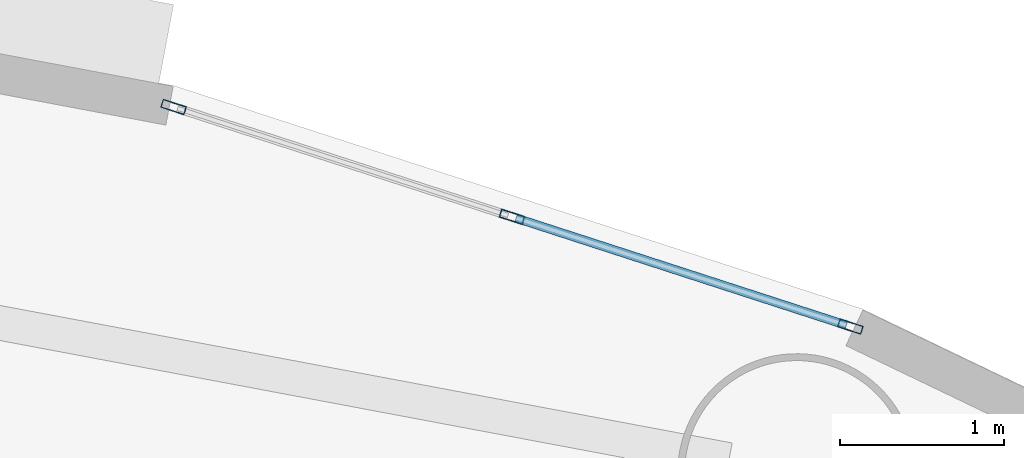
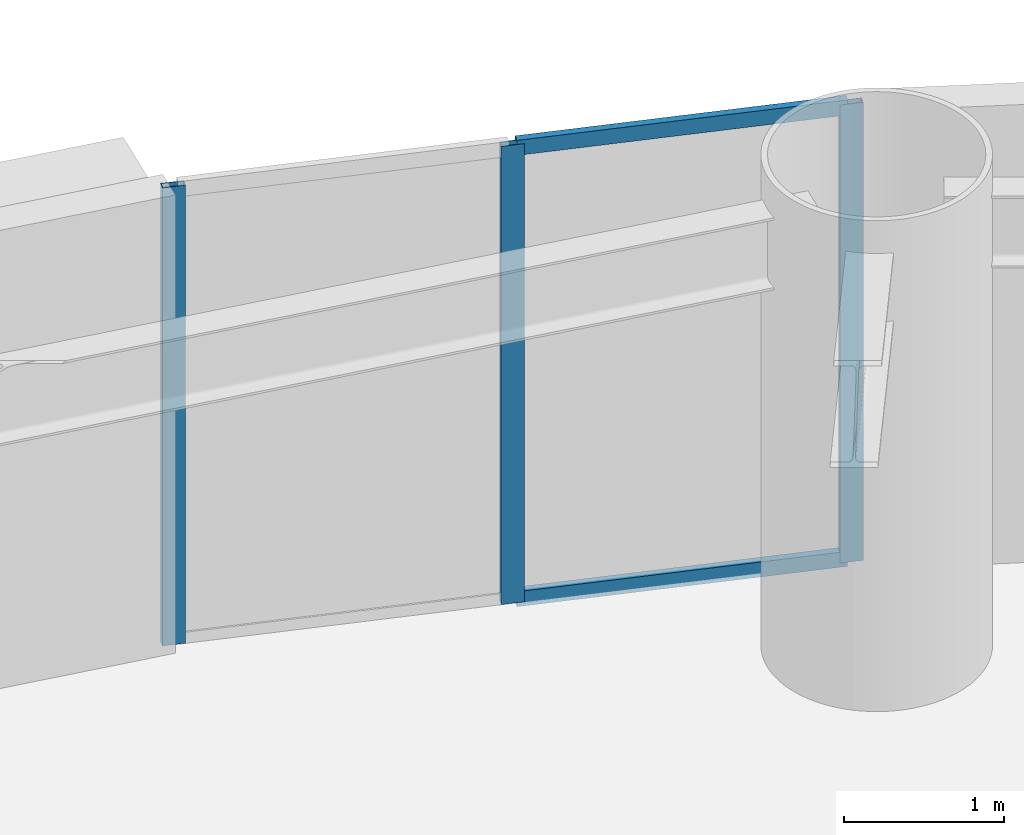
# One storey, part 5 of 21: 5 members, 1 element without a shape of its own.
"""IFC4 building model written with IfcOpenShell, lengths in metres."""

from ifc_helpers import new_model, si_unit, direction, frame, origin, origin_2d, place, context, subcontext, project, spatial, hollow_rectangle, extrude, source, transform, mapped, material, layer, layer_set, material_profile, profile_set, type_object, element, aggregate, save


model = new_model("IFC4")

# Units and contexts
model_context = context("Model", 3, precision=1e-05, world=origin(), true_north=direction((0.0, 1.0)))
body_context = subcontext(model_context, "Body", "Model", "MODEL_VIEW")
ifc_project = project(units=[si_unit("LENGTHUNIT", "METRE"), si_unit("AREAUNIT", "SQUARE_METRE"), si_unit("VOLUMEUNIT", "CUBIC_METRE"), si_unit("PLANEANGLEUNIT", "RADIAN"), si_unit("MASSUNIT", "GRAM", prefix="KILO")], contexts=[model_context])

# Site, building, storey
site_placement = place(None, origin())
site = spatial("IfcSite", under=ifc_project, at=site_placement, CompositionType="ELEMENT")
building_placement = place(site_placement, origin())
building = spatial("IfcBuilding", under=site, at=building_placement, Name="Linh Dai School and Residence Tower", CompositionType="ELEMENT")
storey_placement = place(building_placement, frame((0.0, 0.0, 97.199951171875)))
storey = spatial("IfcBuildingStorey", under=building, at=storey_placement, Name="L22", CompositionType="ELEMENT", Elevation=97.199951171875)

# Curtain wall, members
ifc_material_1 = material(Name="Aluminium Anodised Curtain Wall", Category="aluminium")
ifc_layer = layer(ifc_material_1, 0.14990234375)
ifc_layer_set = layer_set([ifc_layer], Name="Aluminium Anodised Curtain Wall")
curtain_wall_type = type_object("IfcCurtainWallType", Name="CW-SYS-4", PredefinedType="USERDEFINED", material=ifc_layer_set)
curtain_wall_placement = place(storey_placement, origin())
curtain_wall = element("IfcCurtainWall", 1, at=curtain_wall_placement, inside=storey, type_object=curtain_wall_type, Name="L22 CW4 Curtain Wall 08", ObjectType="RIBBON CURTAIN WALL", PredefinedType="USERDEFINED")
ifc_material_2 = material(Name="Aluminium Alloy 6063-T6", Category="aluminium")
ifc_material_profile_1 = material_profile(ifc_material_2, hollow_rectangle(XDim=0.052001953125, YDim=0.114990234375, WallThickness=0.00390625, at=origin_2d()), Name="RHS 115x52x4")
ifc_profile_set_1 = profile_set([ifc_material_profile_1], Name="Aluminium Alloy 6063-T6")
member_type_1 = type_object("IfcMemberType", Name="CW-SYS-4-TRN", PredefinedType="USERDEFINED", material=ifc_profile_set_1)
shared_shape_1 = source(origin(), body_context, "Body", "SweptSolid", [
    extrude(hollow_rectangle(XDim=0.052001953125, YDim=0.114990234375, WallThickness=0.00390625, at=origin_2d()), origin(), (0.0, 0.0, 1.0), 2.1162109375),
])
member_1_placement = place(storey_placement, frame((47.01171875, 47.71630859375, 0.026123046875), z_axis=(0.95122464899, -0.308499055355, 0.0), x_axis=(0.308499055355, 0.95122464899, 0.0)))
member_1 = element("IfcMember", 2, at=member_1_placement, type_object=member_type_1, Name="CW4 transom 2.1", ObjectType="TRANSOM", PredefinedType="USERDEFINED", context=body_context, shape_type="MappedRepresentation", body=[
    mapped(shared_shape_1, transform((0.0, 0.0, 0.0), x_axis=(1.0, 0.0, 0.0), y_axis=(0.0, 1.0, 0.0), z_axis=(0.0, 0.0, 1.0), scale=1.0)),
])
member_2_placement = place(storey_placement, frame((47.01171875, 47.71630859375, 3.47412109375), z_axis=(0.95122464899, -0.308499055355, 0.0), x_axis=(0.308499055355, 0.95122464899, 0.0)))
member_2 = element("IfcMember", 3, at=member_2_placement, type_object=member_type_1, Name="CW4 transom 2.2", ObjectType="TRANSOM", PredefinedType="USERDEFINED", context=body_context, shape_type="MappedRepresentation", body=[
    mapped(shared_shape_1, transform((0.0, 0.0, 0.0), x_axis=(1.0, 0.0, 0.0), y_axis=(0.0, 1.0, 0.0), z_axis=(0.0, 0.0, 1.0), scale=1.0)),
])
ifc_material_profile_2 = material_profile(ifc_material_2, hollow_rectangle(XDim=0.052001953125, YDim=0.14990234375, WallThickness=0.00390625, at=origin_2d()), Name="RHS 150x52x4")
ifc_profile_set_2 = profile_set([ifc_material_profile_2], Name="Aluminium Alloy 6063-T6")
member_type_2 = type_object("IfcMemberType", Name="CW-SYS-4-MUL", PredefinedType="MULLION", material=ifc_profile_set_2)
shared_shape_2 = source(origin(), body_context, "Body", "SweptSolid", [
    extrude(hollow_rectangle(XDim=0.052001953125, YDim=0.14990234375, WallThickness=0.00390625, at=origin_2d()), origin(), (0.0, 0.0, 1.0), 3.5),
])
member_3_placement = place(storey_placement, frame((44.924560546875, 48.393310546875, 0.0), z_axis=(0.0, 0.0, 1.0), x_axis=(0.308522363457, 0.951217089442, 0.0)))
member_3 = element("IfcMember", 4, at=member_3_placement, type_object=member_type_2, Name="CW4 mullion 1", PredefinedType="MULLION", context=body_context, shape_type="MappedRepresentation", body=[
    mapped(shared_shape_2, transform((0.0, 0.0, 0.0), x_axis=(1.0, 0.0, 0.0), y_axis=(0.0, 1.0, 0.0), z_axis=(0.0, 0.0, 1.0), scale=1.0)),
])
member_4_placement = place(storey_placement, frame((46.98681640625, 47.724365234375, 0.0), z_axis=(0.0, 0.0, 1.0), x_axis=(0.308522363457, 0.951217089442, 0.0)))
member_4 = element("IfcMember", 5, at=member_4_placement, type_object=member_type_2, Name="CW4 mullion 2", PredefinedType="MULLION", context=body_context, shape_type="MappedRepresentation", body=[
    mapped(shared_shape_2, transform((0.0, 0.0, 0.0), x_axis=(1.0, 0.0, 0.0), y_axis=(0.0, 1.0, 0.0), z_axis=(0.0, 0.0, 1.0), scale=1.0)),
])
member_5_placement = place(storey_placement, frame((49.04931640625, 47.055419921875, 0.0), z_axis=(0.0, 0.0, 1.0), x_axis=(0.308522363457, 0.951217089442, 0.0)))
member_5 = element("IfcMember", 6, at=member_5_placement, type_object=member_type_2, Name="CW4 mullion 3", PredefinedType="MULLION", context=body_context, shape_type="MappedRepresentation", body=[
    mapped(shared_shape_2, transform((0.0, 0.0, 0.0), x_axis=(1.0, 0.0, 0.0), y_axis=(0.0, 1.0, 0.0), z_axis=(0.0, 0.0, 1.0), scale=1.0)),
])
aggregate(curtain_wall, [member_3, member_4, member_5, member_1, member_2])

save(model, "model.ifc")
